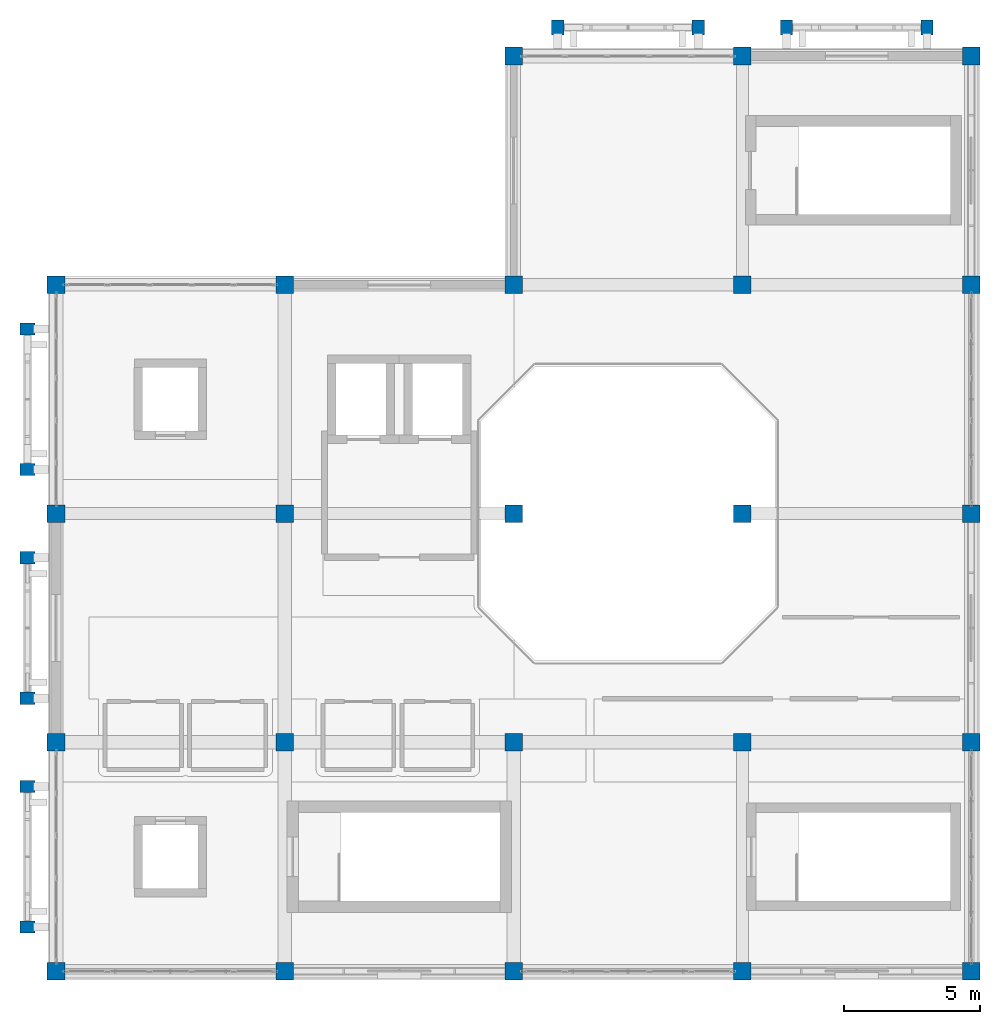
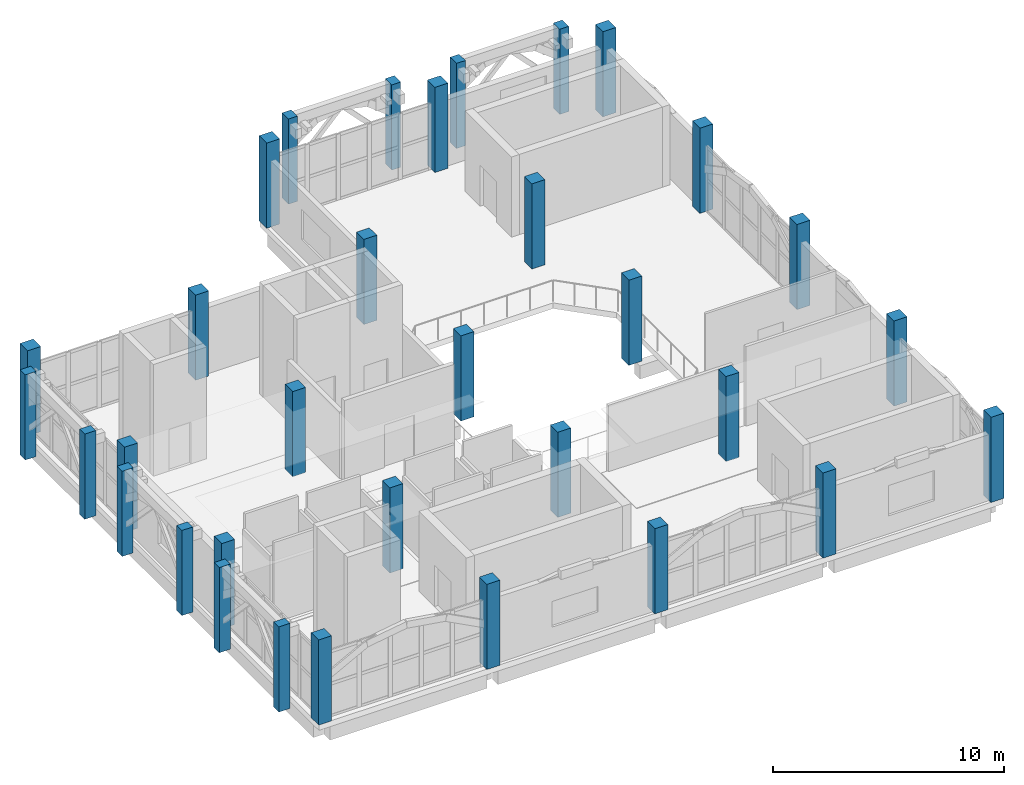
# One storey, part 1 of 16: 33 columns.
"""IFC4 building model written with IfcOpenShell, lengths in metres."""

import ifcopenshell
import ifcopenshell.guid

model = None  # the IFC model being written
_history = None  # IfcOwnerHistory: only IFC2X3 demands one
_inside = {}  # id of a spatial element -> (the spatial element, [elements in it])
_under = {}  # id of a project, library or spatial element -> (it, [spatial elements below it])
_declared = {}  # id of a project -> (the project, [libraries it declares])
_typed = {}  # id of a type object -> (the type object, [elements of that type])
_made_of = {}  # id of a material, layer set ... -> (it, [elements and type objects made of it])


def new_model(schema):
    """Start an empty IFC model of exactly this schema.

    Asked for "IFC4X3", IfcOpenShell would pick the latest addendum, in which some entities
    have other attributes; the version numbers below select the first issue.
    IFC2X3 requires an IfcOwnerHistory on every rooted entity: one is made here for all.
    """
    global model, _history
    if schema == "IFC4X3":
        model = ifcopenshell.file(schema_version=(4, 3, 0, 0))
    else:
        model = ifcopenshell.file(schema=schema)
    _inside.clear()
    _under.clear()
    _declared.clear()
    _typed.clear()
    _made_of.clear()
    _history = None
    if model.schema == "IFC2X3":
        org = make("IfcOrganization", Name="unknown")
        user = make(
            "IfcPersonAndOrganization",
            ThePerson=make("IfcPerson", FamilyName="unknown"),
            TheOrganization=org,
        )
        app = make(
            "IfcApplication",
            ApplicationDeveloper=org,
            Version="unknown",
            ApplicationFullName="unknown",
            ApplicationIdentifier="unknown",
        )
        _history = make(
            "IfcOwnerHistory",
            OwningUser=user,
            OwningApplication=app,
            ChangeAction="ADDED",
            CreationDate=0,
        )
    return model


def make(cls, **values):
    """One entity of the class cls with the attributes given. An attribute that is None is left unset."""
    return model.create_entity(
        cls, **{name: value for name, value in values.items() if value is not None}
    )


def rooted(cls, **values):
    """An entity with a GlobalId (a new one), such as an element, a storey or a relation."""
    return make(cls, GlobalId=ifcopenshell.guid.new(), OwnerHistory=_history, **values)


def si_unit(unit_type, name, prefix=None):
    """IfcSIUnit, for example si_unit("LENGTHUNIT", "METRE", prefix="MILLI")."""
    return make("IfcSIUnit", UnitType=unit_type, Prefix=prefix, Name=name)


def assignment(units):
    """IfcUnitAssignment: the units of a project."""
    return None if units is None else make("IfcUnitAssignment", Units=units)


def point(xyz):
    """IfcCartesianPoint."""
    return None if xyz is None else make("IfcCartesianPoint", Coordinates=xyz)


def direction(xyz):
    """IfcDirection."""
    return None if xyz is None else make("IfcDirection", DirectionRatios=xyz)


def frame(location, z_axis=None, x_axis=None):
    """IfcAxis2Placement3D, a coordinate frame: its origin and axes. An axis left out is left unset."""
    return make(
        "IfcAxis2Placement3D",
        Location=point(location),
        Axis=direction(z_axis),
        RefDirection=direction(x_axis),
    )


def frame_2d(location, x_axis=None):
    """IfcAxis2Placement2D, a coordinate frame in the plane: its origin and x axis."""
    return make(
        "IfcAxis2Placement2D", Location=point(location), RefDirection=direction(x_axis)
    )


def origin():
    """The frame at (0, 0, 0) with its axes left unset."""
    return frame((0.0, 0.0, 0.0))


def origin_2d():
    """The frame at (0, 0) in the plane with its x axis left unset."""
    return frame_2d((0.0, 0.0))


def place(relative_to, where):
    """IfcLocalPlacement: puts the frame where relative to a parent placement (None: the world)."""
    return make(
        "IfcLocalPlacement", PlacementRelTo=relative_to, RelativePlacement=where
    )


def context(
    kind, dimensions, precision=None, world=None, true_north=None, identifier=None
):
    """IfcGeometricRepresentationContext, for example the 3D "Model" context."""
    return make(
        "IfcGeometricRepresentationContext",
        ContextIdentifier=identifier,
        ContextType=kind,
        CoordinateSpaceDimension=dimensions,
        Precision=precision,
        WorldCoordinateSystem=world,
        TrueNorth=true_north,
    )


def subcontext(parent, identifier, kind, view, scale=None):
    """IfcGeometricRepresentationSubContext, for example "Body" below "Model"."""
    return make(
        "IfcGeometricRepresentationSubContext",
        ContextIdentifier=identifier,
        ContextType=kind,
        ParentContext=parent,
        TargetScale=scale,
        TargetView=view,
    )


def project(units=None, contexts=None):
    """IfcProject with its units and contexts."""
    return rooted(
        "IfcProject",
        Name="project",
        RepresentationContexts=contexts,
        UnitsInContext=assignment(units),
    )


def spatial(cls, under=None, at=None, **own):
    """A site, building, storey or space (cls), placed at a placement, below another one or the project."""
    s = rooted(cls, ObjectPlacement=at, **own)
    if under is not None:
        _under.setdefault(under.id(), (under, []))[1].append(s)
    return s


def profile(cls, at=None, kind="AREA", **sizes):
    """A parametric profile (cls). Its sizes go by their IFC names, for example OverallWidth=200.0."""
    return make(cls, ProfileType=kind, Position=at, **sizes)


def rectangle(**sizes):
    """IfcRectangleProfileDef."""
    return profile("IfcRectangleProfileDef", **sizes)


def extrude(swept, where, along, depth):
    """IfcExtrudedAreaSolid: the profile swept, set in the frame where, extruded along a direction by depth."""
    return make(
        "IfcExtrudedAreaSolid",
        SweptArea=swept,
        Position=where,
        ExtrudedDirection=direction(along),
        Depth=depth,
    )


def shape(context_of_items, identifier, shape_type, items):
    """IfcShapeRepresentation: the items that make up one representation, for example the "Body"."""
    return make(
        "IfcShapeRepresentation",
        ContextOfItems=context_of_items,
        RepresentationIdentifier=identifier,
        RepresentationType=shape_type,
        Items=items,
    )


def material(Name=None, Category=None):
    """IfcMaterial."""
    return make("IfcMaterial", Name=Name, Category=Category)


def material_profile(
    of_material, cross_section, Name=None, Category=None, Priority=None
):
    """IfcMaterialProfile: a cross section and its material."""
    return make(
        "IfcMaterialProfile",
        Name=Name,
        Material=of_material,
        Profile=cross_section,
        Priority=Priority,
        Category=Category,
    )


def profile_set(profiles, Name=None, composite=None):
    """IfcMaterialProfileSet."""
    return make(
        "IfcMaterialProfileSet",
        Name=Name,
        MaterialProfiles=profiles,
        CompositeProfile=composite,
    )


def made_of(thing, what):
    """Note that an element or type object is made of a material, layer set ...; save() writes the relation."""
    if what is not None:
        _made_of.setdefault(what.id(), (what, []))[1].append(thing)
    return thing


def type_object(cls, material=None, **own):
    """A type object (cls), such as IfcWallType, which elements share."""
    return made_of(rooted(cls, **own), material)


def element(
    cls,
    number,
    at=None,
    inside=None,
    cuts=None,
    type_object=None,
    material=None,
    context=None,
    identifier="Body",
    shape_type=None,
    held_by="IfcProductDefinitionShape",
    body=None,
    shapes=None,
    **own,
):
    """One element of the class cls, such as IfcWall. Its Tag is "e" and its number.

    at: its placement. inside: the storey or other place that contains it. cuts: it is an
    opening in that element (IfcRelVoidsElement). A single representation is given by context,
    identifier, shape_type and body (its items); several are given by shapes. held_by: the class
    of the entity that holds the representations. save() writes the other relations.
    """
    e = rooted(cls, Tag="e%d" % number, ObjectPlacement=at, **own)
    if body is not None:
        shapes = [shape(context, identifier, shape_type, body)]
    if shapes is not None:
        e.Representation = make(held_by, Representations=shapes)
    if inside is not None:
        _inside.setdefault(inside.id(), (inside, []))[1].append(e)
    if cuts is not None:
        rooted(
            "IfcRelVoidsElement", RelatingBuildingElement=cuts, RelatedOpeningElement=e
        )
    if type_object is not None:
        _typed.setdefault(type_object.id(), (type_object, []))[1].append(e)
    return made_of(e, material)


def aggregate(whole, parts):
    """IfcRelAggregates: a whole, such as a stair, and the parts it consists of."""
    return rooted("IfcRelAggregates", RelatingObject=whole, RelatedObjects=parts)


def save(model, path):
    """Write the relations noted so far, then the file.

    IfcRelAggregates (storeys below a building ...), IfcRelContainedInSpatialStructure (elements
    in a storey), IfcRelDefinesByType, IfcRelAssociatesMaterial and IfcRelDeclares: one each for
    every whole, place, type object, material and project.
    """
    for whole, parts in _under.values():
        aggregate(whole, parts)
    for where, things in _inside.values():
        rooted(
            "IfcRelContainedInSpatialStructure",
            RelatedElements=things,
            RelatingStructure=where,
        )
    for kind, things in _typed.values():
        rooted("IfcRelDefinesByType", RelatedObjects=things, RelatingType=kind)
    for what, things in _made_of.values():
        rooted("IfcRelAssociatesMaterial", RelatedObjects=things, RelatingMaterial=what)
    for by, libraries in _declared.values():
        rooted("IfcRelDeclares", RelatingContext=by, RelatedDefinitions=libraries)
    model.write(path)


model = new_model("IFC4")

# Units and contexts
model_context = context("Model", 3, precision=1e-05, world=origin(), true_north=direction((0.0, 1.0)))
body_context = subcontext(model_context, "Body", "Model", "MODEL_VIEW")
ifc_project = project(units=[si_unit("LENGTHUNIT", "METRE"), si_unit("AREAUNIT", "SQUARE_METRE"), si_unit("VOLUMEUNIT", "CUBIC_METRE"), si_unit("PLANEANGLEUNIT", "RADIAN"), si_unit("MASSUNIT", "GRAM", prefix="KILO")], contexts=[model_context])

# Site, building, storey
site_placement = place(None, origin())
site = spatial("IfcSite", under=ifc_project, at=site_placement, CompositionType="ELEMENT")
building_placement = place(site_placement, origin())
building = spatial("IfcBuilding", under=site, at=building_placement, Name="Xazarin Passage Department Store", CompositionType="ELEMENT")
storey_placement = place(building_placement, frame((0.0, 0.0, 32.39990234375)))
storey = spatial("IfcBuildingStorey", under=building, at=storey_placement, Name="L07", CompositionType="ELEMENT", Elevation=32.39990234375)

# Columns
ifc_material = material(Name="Concrete C40/50", Category="concrete")
ifc_material_profile_1 = material_profile(ifc_material, rectangle(XDim=0.64990234375, YDim=0.64990234375, at=origin_2d()), Name="RC 650x650")
ifc_profile_set_1 = profile_set([ifc_material_profile_1], Name="Concrete C40/50")
column_type_1 = type_object("IfcColumnType", Name="STR-COL-RC650", PredefinedType="COLUMN", material=ifc_profile_set_1)
for number, where, z_axis, x_axis, name in (
    (1, (0.0, 76.39990234375, 0.0), (0.0, 0.0, 1.0), (1.0, 0.0, 0.0), "L07 Column 1/L"),
    (2, (8.39990234375, 76.39990234375, 0.0), (0.0, 0.0, 1.0), (1.0, 0.0, 0.0), "L07 Column 2/L"),
    (3, (16.800048828125, 76.39990234375, 0.0), (0.0, 0.0, 1.0), (1.0, 0.0, 0.0), "L07 Column 3/L"),
    (4, (25.199951171875, 76.39990234375, 0.0), (0.0, 0.0, 1.0), (1.0, 0.0, 0.0), "L07 Column 4/L"),
    (5, (33.60009765625, 76.39990234375, 0.0), (0.0, 0.0, 1.0), (1.0, 0.0, 0.0), "L07 Column 5/L"),
    (6, (0.0, 84.800048828125, 0.0), (0.0, 0.0, 1.0), (1.0, 0.0, 0.0), "L07 Column 1/M"),
    (7, (8.39990234375, 84.800048828125, 0.0), (0.0, 0.0, 1.0), (1.0, 0.0, 0.0), "L07 Column 2/M"),
    (8, (16.800048828125, 84.800048828125, 0.0), (0.0, 0.0, 1.0), (1.0, 0.0, 0.0), "L07 Column 3/M"),
    (9, (25.199951171875, 84.800048828125, 0.0), (0.0, 0.0, 1.0), (1.0, 0.0, 0.0), "L07 Column 4/M"),
    (10, (33.60009765625, 84.800048828125, 0.0), (0.0, 0.0, 1.0), (1.0, 0.0, 0.0), "L07 Column 5/M"),
    (11, (0.0, 93.199951171875, 0.0), (0.0, 0.0, 1.0), (1.0, 0.0, 0.0), "L07 Column 1/N"),
    (12, (8.39990234375, 93.199951171875, 0.0), (0.0, 0.0, 1.0), (1.0, 0.0, 0.0), "L07 Column 2/N"),
    (13, (16.800048828125, 93.199951171875, 0.0), (0.0, 0.0, 1.0), (1.0, 0.0, 0.0), "L07 Column 3/N"),
    (14, (25.199951171875, 93.199951171875, 0.0), (0.0, 0.0, 1.0), (1.0, 0.0, 0.0), "L07 Column 4/N"),
    (15, (33.60009765625, 93.199951171875, 0.0), (0.0, 0.0, 1.0), (1.0, 0.0, 0.0), "L07 Column 5/N"),
    (16, (0.0, 101.60009765625, 0.0), (0.0, 0.0, 1.0), (1.0, 0.0, 0.0), "L07 Column 1/P"),
    (17, (8.39990234375, 101.60009765625, 0.0), (0.0, 0.0, 1.0), (1.0, 0.0, 0.0), "L07 Column 2/P"),
    (18, (16.800048828125, 101.60009765625, 0.0), (0.0, 0.0, 1.0), (1.0, 0.0, 0.0), "L07 Column 3/P"),
    (19, (25.199951171875, 101.60009765625, 0.0), (0.0, 0.0, 1.0), (1.0, 0.0, 0.0), "L07 Column 4/P"),
    (20, (33.60009765625, 101.60009765625, 0.0), (0.0, 0.0, 1.0), (1.0, 0.0, 0.0), "L07 Column 5/P"),
    (21, (16.800048828125, 110.0, 0.0), (0.0, 0.0, 1.0), (1.0, 0.0, 0.0), "L07 Column 3/Q"),
    (22, (25.199951171875, 110.0, 0.0), (0.0, 0.0, 1.0), (1.0, 0.0, 0.0), "L07 Column 4/Q"),
    (23, (33.60009765625, 110.0, 0.0), (0.0, 0.0, 1.0), (1.0, 0.0, 0.0), "L07 Column 5/Q"),
):
    element("IfcColumn", number, at=place(storey_placement, frame(where, z_axis=z_axis, x_axis=x_axis)), inside=storey, type_object=column_type_1, Name=name, PredefinedType="COLUMN", context=body_context, shape_type="SweptSolid", body=[
        extrude(rectangle(XDim=0.64990234375, YDim=0.64990234375, at=origin_2d()), origin(), (0.0, 0.0, 1.0), 4.5),
    ])
ifc_material_profile_2 = material_profile(ifc_material, rectangle(XDim=0.449951171875, YDim=0.550048828125, at=origin_2d()), Name="RC 450x550")
ifc_profile_set_2 = profile_set([ifc_material_profile_2], Name="Concrete C40/50")
column_type_2 = type_object("IfcColumnType", Name="STR-PIL-RC450", PredefinedType="PILASTER", material=ifc_profile_set_2)
for number, where, z_axis, x_axis, name in (
    (24, (18.419921875, 111.050048828125, 0.0), (0.0, 0.0, 1.0), (1.0, 0.0, 0.0), "L07 V1 Pierced-Arch Colonnade Pier 001L"),
    (25, (23.580078125, 111.050048828125, 0.0), (0.0, 0.0, 1.0), (1.0, 0.0, 0.0), "L07 V1 Pierced-Arch Colonnade Pier 001R"),
    (26, (26.820068359375, 111.050048828125, 0.0), (0.0, 0.0, 1.0), (1.0, 0.0, 0.0), "L07 V1 Pierced-Arch Colonnade Pier 002L"),
    (27, (31.97998046875, 111.050048828125, 0.0), (0.0, 0.0, 1.0), (1.0, 0.0, 0.0), "L07 V1 Pierced-Arch Colonnade Pier 002R"),
    (28, (-1.050048828125, 78.02001953125, 0.0), (0.0, 0.0, 1.0), (0.0, 1.0, 0.0), "L07 V1 Pierced-Arch Colonnade Pier 011L"),
    (29, (-1.050048828125, 83.179931640625, 0.0), (0.0, 0.0, 1.0), (0.0, 1.0, 0.0), "L07 V1 Pierced-Arch Colonnade Pier 011R"),
    (30, (-1.050048828125, 86.419921875, 0.0), (0.0, 0.0, 1.0), (0.0, 1.0, 0.0), "L07 V1 Pierced-Arch Colonnade Pier 012L"),
    (31, (-1.050048828125, 91.580078125, 0.0), (0.0, 0.0, 1.0), (0.0, 1.0, 0.0), "L07 V1 Pierced-Arch Colonnade Pier 012R"),
    (32, (-1.050048828125, 94.820068359375, 0.0), (0.0, 0.0, 1.0), (0.0, 1.0, 0.0), "L07 V1 Pierced-Arch Colonnade Pier 013L"),
    (33, (-1.050048828125, 99.97998046875, 0.0), (0.0, 0.0, 1.0), (0.0, 1.0, 0.0), "L07 V1 Pierced-Arch Colonnade Pier 013R"),
):
    element("IfcColumn", number, at=place(storey_placement, frame(where, z_axis=z_axis, x_axis=x_axis)), inside=storey, type_object=column_type_2, Name=name, PredefinedType="PILASTER", context=body_context, shape_type="SweptSolid", body=[
        extrude(rectangle(XDim=0.449951171875, YDim=0.550048828125, at=origin_2d()), origin(), (0.0, 0.0, 1.0), 4.5),
    ])

save(model, "model.ifc")
